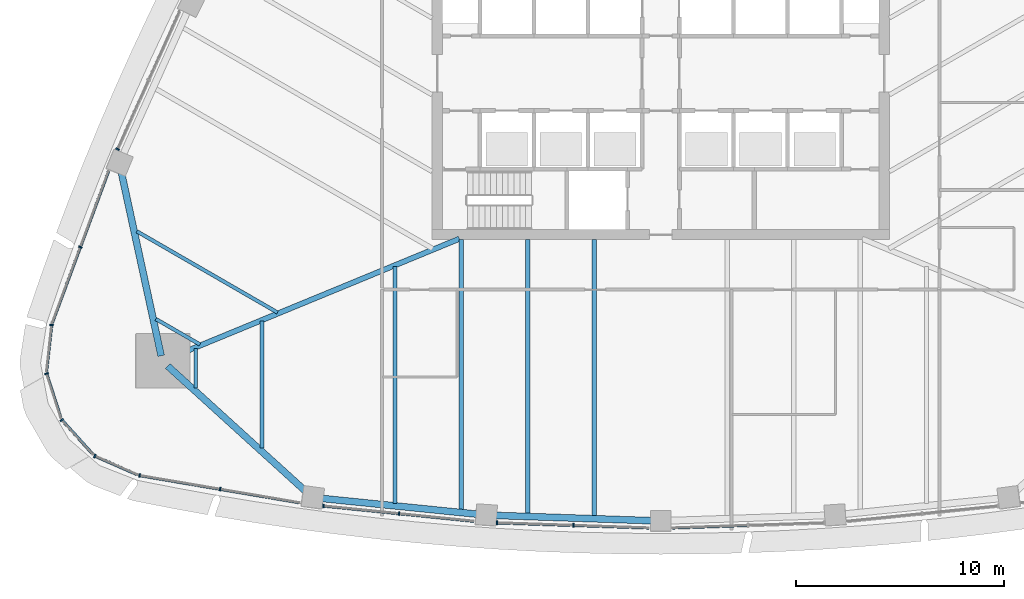
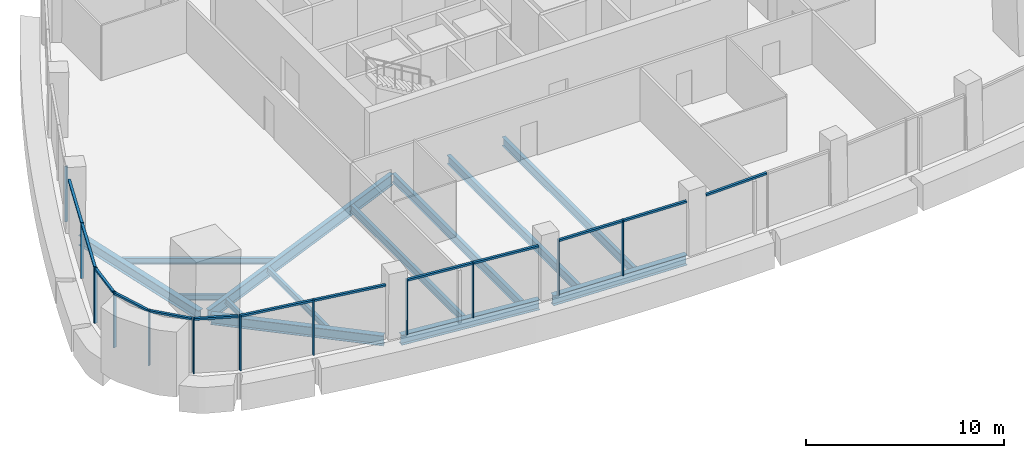
# One storey, part 2 of 16: 25 members, 13 beams, 10 elements without a shape of their own.
"""IFC4 building model written with IfcOpenShell, lengths in metres."""

from ifc_helpers import new_model, si_unit, direction, frame, origin, origin_2d, place, context, subcontext, project, spatial, rectangle, i_section, extrude, material, layer, layer_set, material_profile, profile_set, type_object, element, aggregate, save


model = new_model("IFC4")

# Units and contexts
model_context = context("Model", 3, precision=1e-05, world=origin(), true_north=direction((0.0, 1.0)))
body_context = subcontext(model_context, "Body", "Model", "MODEL_VIEW")
ifc_project = project(units=[si_unit("LENGTHUNIT", "METRE"), si_unit("AREAUNIT", "SQUARE_METRE"), si_unit("VOLUMEUNIT", "CUBIC_METRE"), si_unit("PLANEANGLEUNIT", "RADIAN"), si_unit("MASSUNIT", "GRAM", prefix="KILO")], contexts=[model_context])

# Site, building, storey
site_placement = place(None, origin())
site = spatial("IfcSite", under=ifc_project, at=site_placement, CompositionType="ELEMENT")
building_placement = place(site_placement, origin())
building = spatial("IfcBuilding", under=site, at=building_placement, Name="Sierra Prisma Convention Tower", CompositionType="ELEMENT")
storey_placement = place(building_placement, frame((0.0, 0.0, 165.800048828125)))
storey = spatial("IfcBuildingStorey", under=building, at=storey_placement, Name="L36", CompositionType="ELEMENT", Elevation=165.800048828125)

# Curtain wall, members
ifc_material_1 = material(Name="Aluminium and glass curtain wall", Category="aluminium")
ifc_layer = layer(ifc_material_1, 0.179931640625)
ifc_layer_set = layer_set([ifc_layer], Name="CW-1 Plain shaft curtain wall")
curtain_wall_type = type_object("IfcCurtainWallType", Name="CW-1 Plain shaft curtain wall", PredefinedType="NOTDEFINED", material=ifc_layer_set)
curtain_wall_1_placement = place(storey_placement, origin())
curtain_wall_1 = element("IfcCurtainWall", 1, at=curtain_wall_1_placement, inside=storey, type_object=curtain_wall_type, Name="CW-1 S1 L36", PredefinedType="NOTDEFINED")
ifc_material_2 = material(Name="Aluminium 6063-T6 bronze anodised", Category="aluminium")
ifc_material_profile_1 = material_profile(ifc_material_2, rectangle(XDim=0.179931640625, YDim=0.070068359375, at=origin_2d()), Name="ALU MULLION 70x180")
ifc_profile_set_1 = profile_set([ifc_material_profile_1], Name="Aluminium 6063-T6 bronze anodised")
member_type_1 = type_object("IfcMemberType", Name="CW mullion bronze", PredefinedType="MULLION", material=ifc_profile_set_1)
member_1_placement = place(storey_placement, frame((-25.06298828125, -19.3388671875, 0.0), z_axis=(0.0, 0.0, 1.0), x_axis=(0.167676742214, 0.985842031017, 0.0)))
member_1 = element("IfcMember", 2, at=member_1_placement, type_object=member_type_1, Name="CW-1 mullion S1.1", PredefinedType="MULLION", context=body_context, shape_type="SweptSolid", body=[
    extrude(rectangle(XDim=0.179931640625, YDim=0.070068359375, at=origin_2d()), origin(), (0.0, 0.0, 1.0), 3.39990234375),
])
member_2_placement = place(storey_placement, frame((-21.19287109375, -19.9970703125, 0.0), z_axis=(0.0, 0.0, 1.0), x_axis=(0.167676742214, 0.985842031017, 0.0)))
member_2 = element("IfcMember", 3, at=member_2_placement, type_object=member_type_1, Name="CW-1 mullion S1.2", PredefinedType="MULLION", context=body_context, shape_type="SweptSolid", body=[
    extrude(rectangle(XDim=0.179931640625, YDim=0.070068359375, at=origin_2d()), origin(), (0.0, 0.0, 1.0), 3.39990234375),
])

curtain_wall_2_placement = place(storey_placement, origin())
curtain_wall_2 = element("IfcCurtainWall", 4, at=curtain_wall_2_placement, inside=storey, type_object=curtain_wall_type, Name="CW-1 S2 L36", PredefinedType="NOTDEFINED")
member_3_placement = place(storey_placement, frame((-16.218505859375, -20.803466796875, 0.0), z_axis=(0.0, 0.0, 1.0), x_axis=(0.100911487644, 0.994895407398, 0.0)))
member_3 = element("IfcMember", 5, at=member_3_placement, type_object=member_type_1, Name="CW-1 mullion S2.1", PredefinedType="MULLION", context=body_context, shape_type="SweptSolid", body=[
    extrude(rectangle(XDim=0.179931640625, YDim=0.070068359375, at=origin_2d()), origin(), (0.0, 0.0, 1.0), 3.39990234375),
])
member_4_placement = place(storey_placement, frame((-12.583740234375, -21.172119140625, 0.0), z_axis=(0.0, 0.0, 1.0), x_axis=(0.100911487644, 0.994895407398, 0.0)))
member_4 = element("IfcMember", 6, at=member_4_placement, type_object=member_type_1, Name="CW-1 mullion S2.2", PredefinedType="MULLION", context=body_context, shape_type="SweptSolid", body=[
    extrude(rectangle(XDim=0.179931640625, YDim=0.070068359375, at=origin_2d()), origin(), (0.0, 0.0, 1.0), 3.39990234375),
])

curtain_wall_3_placement = place(storey_placement, origin())
curtain_wall_3 = element("IfcCurtainWall", 7, at=curtain_wall_3_placement, inside=storey, type_object=curtain_wall_type, Name="CW-1 S3 L36", PredefinedType="NOTDEFINED")
member_5_placement = place(storey_placement, frame((-7.869384765625, -21.61328125, 0.0), z_axis=(0.0, 0.0, 1.0), x_axis=(0.033688139017, 0.999432393556, 0.0)))
member_5 = element("IfcMember", 8, at=member_5_placement, type_object=member_type_1, Name="CW-1 mullion S3.1", PredefinedType="MULLION", context=body_context, shape_type="SweptSolid", body=[
    extrude(rectangle(XDim=0.179931640625, YDim=0.070068359375, at=origin_2d()), origin(), (0.0, 0.0, 1.0), 3.39990234375),
])
member_6_placement = place(storey_placement, frame((-4.2021484375, -21.73681640625, 0.0), z_axis=(0.0, 0.0, 1.0), x_axis=(0.033688139017, 0.999432393556, 0.0)))
member_6 = element("IfcMember", 9, at=member_6_placement, type_object=member_type_1, Name="CW-1 mullion S3.2", PredefinedType="MULLION", context=body_context, shape_type="SweptSolid", body=[
    extrude(rectangle(XDim=0.179931640625, YDim=0.070068359375, at=origin_2d()), origin(), (0.0, 0.0, 1.0), 3.39990234375),
])

# Curtain wall, member
curtain_wall_4_placement = place(storey_placement, origin())
curtain_wall_4 = element("IfcCurtainWall", 10, at=curtain_wall_4_placement, inside=storey, type_object=curtain_wall_type, Name="CW-1 NW5 L36", PredefinedType="NOTDEFINED")
member_7_placement = place(storey_placement, frame((-26.125732421875, -3.643798828125, 0.0), z_axis=(0.0, 0.0, 1.0), x_axis=(0.912060440737, -0.410055791866, 0.0)))
member_7 = element("IfcMember", 11, at=member_7_placement, type_object=member_type_1, Name="CW-1 mullion NW5.3", PredefinedType="MULLION", context=body_context, shape_type="SweptSolid", body=[
    extrude(rectangle(XDim=0.179931640625, YDim=0.070068359375, at=origin_2d()), origin(), (0.0, 0.0, 1.0), 3.39990234375),
])
aggregate(curtain_wall_4, [member_7])

curtain_wall_5_placement = place(storey_placement, origin())
curtain_wall_5 = element("IfcCurtainWall", 12, at=curtain_wall_5_placement, inside=storey, type_object=curtain_wall_type, Name="CW-1 NW6 L36", PredefinedType="NOTDEFINED")
member_8_placement = place(storey_placement, frame((-27.914306640625, -8.35498046875, 0.0), z_axis=(0.0, 0.0, 1.0), x_axis=(0.937602614086, -0.347708697128, 0.0)))
member_8 = element("IfcMember", 13, at=member_8_placement, type_object=member_type_1, Name="CW-1 mullion NW6.2", PredefinedType="MULLION", context=body_context, shape_type="SweptSolid", body=[
    extrude(rectangle(XDim=0.179931640625, YDim=0.070068359375, at=origin_2d()), origin(), (0.0, 0.0, 1.0), 3.39990234375),
])

curtain_wall_6_placement = place(storey_placement, origin())
curtain_wall_6 = element("IfcCurtainWall", 14, at=curtain_wall_6_placement, inside=storey, type_object=curtain_wall_type, Name="CW-1 SW1 L36", PredefinedType="NOTDEFINED")
member_9_placement = place(storey_placement, frame((-29.29541015625, -12.103271484375, 0.0), z_axis=(0.0, 0.0, 1.0), x_axis=(0.993936973428, -0.109951320376, 0.0)))
member_9 = element("IfcMember", 15, at=member_9_placement, type_object=member_type_1, Name="CW-1 mullion SW1.1", PredefinedType="MULLION", context=body_context, shape_type="SweptSolid", body=[
    extrude(rectangle(XDim=0.179931640625, YDim=0.070068359375, at=origin_2d()), origin(), (0.0, 0.0, 1.0), 3.39990234375),
])

curtain_wall_7_placement = place(storey_placement, origin())
curtain_wall_7 = element("IfcCurtainWall", 16, at=curtain_wall_7_placement, inside=storey, type_object=curtain_wall_type, Name="CW-1 SW2 L36", PredefinedType="NOTDEFINED")
member_10_placement = place(storey_placement, frame((-29.539306640625, -14.439208984375, 0.0), z_axis=(0.0, 0.0, 1.0), x_axis=(0.951616769793, 0.307287362982, 0.0)))
member_10 = element("IfcMember", 17, at=member_10_placement, type_object=member_type_1, Name="CW-1 mullion SW2.1", PredefinedType="MULLION", context=body_context, shape_type="SweptSolid", body=[
    extrude(rectangle(XDim=0.179931640625, YDim=0.070068359375, at=origin_2d()), origin(), (0.0, 0.0, 1.0), 3.39990234375),
])

curtain_wall_8_placement = place(storey_placement, origin())
curtain_wall_8 = element("IfcCurtainWall", 18, at=curtain_wall_8_placement, inside=storey, type_object=curtain_wall_type, Name="CW-1 SW3 L36", PredefinedType="NOTDEFINED")
member_11_placement = place(storey_placement, frame((-28.803955078125, -16.66943359375, 0.0), z_axis=(0.0, 0.0, 1.0), x_axis=(0.741927047501, 0.670480615817, 0.0)))
member_11 = element("IfcMember", 19, at=member_11_placement, type_object=member_type_1, Name="CW-1 mullion SW3.1", PredefinedType="MULLION", context=body_context, shape_type="SweptSolid", body=[
    extrude(rectangle(XDim=0.179931640625, YDim=0.070068359375, at=origin_2d()), origin(), (0.0, 0.0, 1.0), 3.39990234375),
])

curtain_wall_9_placement = place(storey_placement, origin())
curtain_wall_9 = element("IfcCurtainWall", 20, at=curtain_wall_9_placement, inside=storey, type_object=curtain_wall_type, Name="CW-1 SW4 L36", PredefinedType="NOTDEFINED")
member_12_placement = place(storey_placement, frame((-27.21875, -18.40234375, 0.0), z_axis=(0.0, 0.0, 1.0), x_axis=(0.401747850089, 0.915750328938, 0.0)))
member_12 = element("IfcMember", 21, at=member_12_placement, type_object=member_type_1, Name="CW-1 mullion SW4.1", PredefinedType="MULLION", context=body_context, shape_type="SweptSolid", body=[
    extrude(rectangle(XDim=0.179931640625, YDim=0.070068359375, at=origin_2d()), origin(), (0.0, 0.0, 1.0), 3.39990234375),
])

# Member
ifc_material_3 = material(Name="Aluminium 6063-T6 bronze anodised", Category="aluminium")
ifc_material_profile_2 = material_profile(ifc_material_3, rectangle(XDim=0.139892578125, YDim=0.1201171875, at=origin_2d()), Name="ALU TRANSOM 120x140")
ifc_profile_set_2 = profile_set([ifc_material_profile_2], Name="Aluminium 6063-T6 bronze anodised")
member_type_2 = type_object("IfcMemberType", Name="CW transom bronze", PredefinedType="USERDEFINED", material=ifc_profile_set_2)
member_13_placement = place(storey_placement, frame((-25.028564453125, -19.3447265625, 3.33984375), z_axis=(0.985844336655, -0.167663185836, 0.0), x_axis=(0.167663185836, 0.985844336655, 0.0)))
member_13 = element("IfcMember", 22, at=member_13_placement, type_object=member_type_2, Name="CW-1 transom S1.1", ObjectType="TRANSOM", PredefinedType="USERDEFINED", context=body_context, shape_type="SweptSolid", body=[
    extrude(rectangle(XDim=0.139892578125, YDim=0.1201171875, at=origin_2d()), origin(), (0.0, 0.0, 1.0), 3.85595703125),
])

member_14_placement = place(storey_placement, frame((-21.158203125, -20.0029296875, 3.33984375), z_axis=(0.98584255659, -0.16767365212, 0.0), x_axis=(0.16767365212, 0.98584255659, 0.0)))
member_14 = element("IfcMember", 23, at=member_14_placement, type_object=member_type_2, Name="CW-1 transom S1.2", ObjectType="TRANSOM", PredefinedType="USERDEFINED", context=body_context, shape_type="SweptSolid", body=[
    extrude(rectangle(XDim=0.139892578125, YDim=0.1201171875, at=origin_2d()), origin(), (0.0, 0.0, 1.0), 3.855712890625),
])

aggregate(curtain_wall_1, [member_1, member_2, member_13, member_14])

member_15_placement = place(storey_placement, frame((-16.183837890625, -20.80712890625, 3.33984375), z_axis=(0.994896578537, -0.100899940616, 0.0), x_axis=(0.100899940616, 0.994896578537, 0.0)))
member_15 = element("IfcMember", 24, at=member_15_placement, type_object=member_type_2, Name="CW-1 transom S2.1", ObjectType="TRANSOM", PredefinedType="USERDEFINED", context=body_context, shape_type="SweptSolid", body=[
    extrude(rectangle(XDim=0.139892578125, YDim=0.1201171875, at=origin_2d()), origin(), (0.0, 0.0, 1.0), 3.58349609375),
])

member_16_placement = place(storey_placement, frame((-12.548828125, -21.17578125, 3.33984375), z_axis=(0.994895884852, -0.100906780268, 0.0), x_axis=(0.100906780268, 0.994895884852, 0.0)))
member_16 = element("IfcMember", 25, at=member_16_placement, type_object=member_type_2, Name="CW-1 transom S2.2", ObjectType="TRANSOM", PredefinedType="USERDEFINED", context=body_context, shape_type="SweptSolid", body=[
    extrude(rectangle(XDim=0.139892578125, YDim=0.1201171875, at=origin_2d()), origin(), (0.0, 0.0, 1.0), 3.583251953125),
])

aggregate(curtain_wall_2, [member_3, member_4, member_15, member_16])

member_17_placement = place(storey_placement, frame((-7.83447265625, -21.614501953125, 3.33984375), z_axis=(0.999431654881, -0.033710046317, 0.0), x_axis=(0.033710046317, 0.999431654881, 0.0)))
member_17 = element("IfcMember", 26, at=member_17_placement, type_object=member_type_2, Name="CW-1 transom S3.1", ObjectType="TRANSOM", PredefinedType="USERDEFINED", context=body_context, shape_type="SweptSolid", body=[
    extrude(rectangle(XDim=0.139892578125, YDim=0.1201171875, at=origin_2d()), origin(), (0.0, 0.0, 1.0), 3.599365234375),
])

member_18_placement = place(storey_placement, frame((-4.1669921875, -21.738037109375, 3.33984375), z_axis=(0.999431654881, -0.033710046317, 0.0), x_axis=(0.033710046317, 0.999431654881, 0.0)))
member_18 = element("IfcMember", 27, at=member_18_placement, type_object=member_type_2, Name="CW-1 transom S3.2", ObjectType="TRANSOM", PredefinedType="USERDEFINED", context=body_context, shape_type="SweptSolid", body=[
    extrude(rectangle(XDim=0.139892578125, YDim=0.1201171875, at=origin_2d()), origin(), (0.0, 0.0, 1.0), 3.599365234375),
])

aggregate(curtain_wall_3, [member_5, member_6, member_17, member_18])

# Curtain wall, member
curtain_wall_10_placement = place(storey_placement, origin())
curtain_wall_10 = element("IfcCurtainWall", 28, at=curtain_wall_10_placement, inside=storey, type_object=curtain_wall_type, Name="CW-1 S4 L36", PredefinedType="NOTDEFINED")
member_19_placement = place(storey_placement, frame((0.569580078125, -21.859375, 3.33984375), z_axis=(0.999431654881, 0.033710046317, 0.0), x_axis=(-0.033710046317, 0.999431654881, 0.0)))
member_19 = element("IfcMember", 29, at=member_19_placement, type_object=member_type_2, Name="CW-1 transom S4.1", ObjectType="TRANSOM", PredefinedType="USERDEFINED", context=body_context, shape_type="SweptSolid", body=[
    extrude(rectangle(XDim=0.139892578125, YDim=0.1201171875, at=origin_2d()), origin(), (0.0, 0.0, 1.0), 3.599365234375),
])
aggregate(curtain_wall_10, [member_19])

# Member
member_20_placement = place(storey_placement, frame((-26.5615234375, -4.70703125, 3.33984375), z_axis=(-0.347679343869, -0.937613499181, 0.0), x_axis=(0.937613499181, -0.347679343869, 0.0)))
member_20 = element("IfcMember", 30, at=member_20_placement, type_object=member_type_2, Name="CW-1 transom NW6.1", ObjectType="TRANSOM", PredefinedType="USERDEFINED", context=body_context, shape_type="SweptSolid", body=[
    extrude(rectangle(XDim=0.139892578125, YDim=0.1201171875, at=origin_2d()), origin(), (0.0, 0.0, 1.0), 3.855712890625),
])

member_21_placement = place(storey_placement, frame((-27.926513671875, -8.3876953125, 3.33984375), z_axis=(-0.347735006125, -0.93759285701, 0.0), x_axis=(0.93759285701, -0.347735006125, 0.0)))
member_21 = element("IfcMember", 31, at=member_21_placement, type_object=member_type_2, Name="CW-1 transom NW6.2", ObjectType="TRANSOM", PredefinedType="USERDEFINED", context=body_context, shape_type="SweptSolid", body=[
    extrude(rectangle(XDim=0.139892578125, YDim=0.1201171875, at=origin_2d()), origin(), (0.0, 0.0, 1.0), 3.85595703125),
])

aggregate(curtain_wall_5, [member_8, member_20, member_21])

member_22_placement = place(storey_placement, frame((-29.29931640625, -12.13818359375, 3.33984375), z_axis=(-0.109958945394, -0.993936129904, 0.0), x_axis=(0.993936129904, -0.109958945394, 0.0)))
member_22 = element("IfcMember", 32, at=member_22_placement, type_object=member_type_2, Name="CW-1 transom SW1.1", ObjectType="TRANSOM", PredefinedType="USERDEFINED", context=body_context, shape_type="SweptSolid", body=[
    extrude(rectangle(XDim=0.139892578125, YDim=0.1201171875, at=origin_2d()), origin(), (0.0, 0.0, 1.0), 2.21142578125),
])

aggregate(curtain_wall_6, [member_9, member_22])

member_23_placement = place(storey_placement, frame((-29.528564453125, -14.472412109375, 3.33984375), z_axis=(0.307238238166, -0.951632631328, 0.0), x_axis=(0.951632631328, 0.307238238166, 0.0)))
member_23 = element("IfcMember", 33, at=member_23_placement, type_object=member_type_2, Name="CW-1 transom SW2.1", ObjectType="TRANSOM", PredefinedType="USERDEFINED", context=body_context, shape_type="SweptSolid", body=[
    extrude(rectangle(XDim=0.139892578125, YDim=0.1201171875, at=origin_2d()), origin(), (0.0, 0.0, 1.0), 2.21142578125),
])

aggregate(curtain_wall_7, [member_10, member_23])

member_24_placement = place(storey_placement, frame((-28.780517578125, -16.695556640625, 3.33984375), z_axis=(0.670488251743, -0.741920146832, 0.0), x_axis=(0.741920146832, 0.670488251743, 0.0)))
member_24 = element("IfcMember", 34, at=member_24_placement, type_object=member_type_2, Name="CW-1 transom SW3.1", ObjectType="TRANSOM", PredefinedType="USERDEFINED", context=body_context, shape_type="SweptSolid", body=[
    extrude(rectangle(XDim=0.139892578125, YDim=0.1201171875, at=origin_2d()), origin(), (0.0, 0.0, 1.0), 2.21142578125),
])

aggregate(curtain_wall_8, [member_11, member_24])

member_25_placement = place(storey_placement, frame((-27.186767578125, -18.416259765625, 3.33984375), z_axis=(0.915713390972, -0.401832036545, 0.0), x_axis=(0.401832036545, 0.915713390972, 0.0)))
member_25 = element("IfcMember", 35, at=member_25_placement, type_object=member_type_2, Name="CW-1 transom SW4.1", ObjectType="TRANSOM", PredefinedType="USERDEFINED", context=body_context, shape_type="SweptSolid", body=[
    extrude(rectangle(XDim=0.139892578125, YDim=0.1201171875, at=origin_2d()), origin(), (0.0, 0.0, 1.0), 2.211669921875),
])

aggregate(curtain_wall_9, [member_12, member_25])

# Beams
ifc_material_4 = material(Name="Steel ASTM A992 Gr 50", Category="steel")
ifc_material_profile_3 = material_profile(ifc_material_4, i_section(OverallWidth=0.172119140625, OverallDepth=0.35791015625, WebThickness=0.0078125, FlangeThickness=0.01318359375, at=origin_2d()), Name="W360x57")
ifc_profile_set_3 = profile_set([ifc_material_profile_3], Name="Steel ASTM A992 Gr 50")
beam_type_1 = type_object("IfcBeamType", Name="Floor joist W360x57", PredefinedType="JOIST", material=ifc_profile_set_3)
beam_1_placement = place(storey_placement, frame((-22.37353515625, -15.12158203125, -0.3291015625), z_axis=(0.0, 1.0, 0.0), x_axis=(-1.0, 0.0, 0.0)))
element("IfcBeam", 36, at=beam_1_placement, inside=storey, type_object=beam_type_1, Name="Floor joist L36 S01", PredefinedType="JOIST", context=body_context, shape_type="SweptSolid", body=[
    extrude(i_section(OverallWidth=0.172119140625, OverallDepth=0.35791015625, WebThickness=0.0078125, FlangeThickness=0.01318359375, at=origin_2d()), origin(), (0.0, 0.0, 1.0), 1.88525390625),
])
beam_2_placement = place(storey_placement, frame((-19.17724609375, -18.0234375, -0.3291015625), z_axis=(0.0, 1.0, 0.0), x_axis=(-1.0, 0.0, 0.0)))
element("IfcBeam", 37, at=beam_2_placement, inside=storey, type_object=beam_type_1, Name="Floor joist L36 S02", PredefinedType="JOIST", context=body_context, shape_type="SweptSolid", body=[
    extrude(i_section(OverallWidth=0.172119140625, OverallDepth=0.35791015625, WebThickness=0.0078125, FlangeThickness=0.01318359375, at=origin_2d()), origin(), (0.0, 0.0, 1.0), 6.104248046875),
])
beam_3_placement = place(storey_placement, frame((-25.197265625, -7.596435546875, -0.3291015625), z_axis=(0.866030491634, -0.499991187483, 0.0), x_axis=(0.499991187483, 0.866030491634, 0.0)))
element("IfcBeam", 38, at=beam_3_placement, inside=storey, type_object=beam_type_1, Name="Floor joist L36 NW14", PredefinedType="JOIST", context=body_context, shape_type="SweptSolid", body=[
    extrude(i_section(OverallWidth=0.172119140625, OverallDepth=0.35791015625, WebThickness=0.0078125, FlangeThickness=0.01318359375, at=origin_2d()), origin(), (0.0, 0.0, 1.0), 7.811767578125),
])
beam_4_placement = place(storey_placement, frame((-24.2822265625, -11.815185546875, -0.3291015625), z_axis=(0.866012869334, -0.500021709677, 0.0), x_axis=(0.500021709677, 0.866012869334, 0.0)))
element("IfcBeam", 39, at=beam_4_placement, inside=storey, type_object=beam_type_1, Name="Floor joist L36 NW15", PredefinedType="JOIST", context=body_context, shape_type="SweptSolid", body=[
    extrude(i_section(OverallWidth=0.172119140625, OverallDepth=0.35791015625, WebThickness=0.0078125, FlangeThickness=0.01318359375, at=origin_2d()), origin(), (0.0, 0.0, 1.0), 2.4482421875),
])
ifc_material_5 = material(Name="Steel ASTM A992 Gr 50", Category="steel")
ifc_material_profile_4 = material_profile(ifc_material_5, i_section(OverallWidth=0.18994140625, OverallDepth=0.45703125, WebThickness=0.009033203125, FlangeThickness=0.014404296875, at=origin_2d()), Name="W460x74")
ifc_profile_set_4 = profile_set([ifc_material_profile_4], Name="Steel ASTM A992 Gr 50")
beam_type_2 = type_object("IfcBeamType", Name="Floor joist W460x74", PredefinedType="JOIST", material=ifc_profile_set_4)
beam_5_placement = place(storey_placement, frame((-12.784912109375, -20.686767578125, -0.378662109375), z_axis=(0.0, 1.0, 0.0), x_axis=(-1.0, 0.0, 0.0)))
element("IfcBeam", 40, at=beam_5_placement, inside=storey, type_object=beam_type_2, Name="Floor joist L36 S04", PredefinedType="JOIST", context=body_context, shape_type="SweptSolid", body=[
    extrude(i_section(OverallWidth=0.18994140625, OverallDepth=0.45703125, WebThickness=0.009033203125, FlangeThickness=0.014404296875, at=origin_2d()), origin(), (0.0, 0.0, 1.0), 11.40185546875),
])
ifc_material_6 = material(Name="Steel ASTM A992 Gr 50", Category="steel")
ifc_material_profile_5 = material_profile(ifc_material_6, i_section(OverallWidth=0.208984375, OverallDepth=0.532958984375, WebThickness=0.01025390625, FlangeThickness=0.015625, at=origin_2d()), Name="W530x92")
ifc_profile_set_5 = profile_set([ifc_material_profile_5], Name="Steel ASTM A992 Gr 50")
beam_type_3 = type_object("IfcBeamType", Name="Floor joist W530x92", PredefinedType="JOIST", material=ifc_profile_set_5)
beam_6_placement = place(storey_placement, frame((-9.588623046875, -21.010986328125, -0.41650390625), z_axis=(0.0, 1.0, 0.0), x_axis=(-1.0, 0.0, 0.0)))
element("IfcBeam", 41, at=beam_6_placement, inside=storey, type_object=beam_type_3, Name="Floor joist L36 S05", PredefinedType="JOIST", context=body_context, shape_type="SweptSolid", body=[
    extrude(i_section(OverallWidth=0.208984375, OverallDepth=0.532958984375, WebThickness=0.01025390625, FlangeThickness=0.015625, at=origin_2d()), origin(), (0.0, 0.0, 1.0), 13.010986328125),
])
beam_7_placement = place(storey_placement, frame((-6.392333984375, -21.200439453125, -0.41650390625), z_axis=(0.0, 1.0, 0.0), x_axis=(-1.0, 0.0, 0.0)))
element("IfcBeam", 42, at=beam_7_placement, inside=storey, type_object=beam_type_3, Name="Floor joist L36 S06", PredefinedType="JOIST", context=body_context, shape_type="SweptSolid", body=[
    extrude(i_section(OverallWidth=0.208984375, OverallDepth=0.532958984375, WebThickness=0.01025390625, FlangeThickness=0.015625, at=origin_2d()), origin(), (0.0, 0.0, 1.0), 13.200439453125),
])
beam_8_placement = place(storey_placement, frame((-3.1962890625, -21.308349609375, -0.41650390625), z_axis=(0.0, 1.0, 0.0), x_axis=(-1.0, 0.0, 0.0)))
element("IfcBeam", 43, at=beam_8_placement, inside=storey, type_object=beam_type_3, Name="Floor joist L36 S07", PredefinedType="JOIST", context=body_context, shape_type="SweptSolid", body=[
    extrude(i_section(OverallWidth=0.208984375, OverallDepth=0.532958984375, WebThickness=0.01025390625, FlangeThickness=0.015625, at=origin_2d()), origin(), (0.0, 0.0, 1.0), 13.308349609375),
])
ifc_material_7 = material(Name="Steel ASTM A992 Gr 50", Category="steel")
ifc_material_profile_6 = material_profile(ifc_material_7, i_section(OverallWidth=0.25390625, OverallDepth=0.68408203125, WebThickness=0.012451171875, FlangeThickness=0.018798828125, at=origin_2d()), Name="W690x140")
ifc_profile_set_6 = profile_set([ifc_material_profile_6], Name="Steel ASTM A992 Gr 50")
beam_type_4 = type_object("IfcBeamType", Name="Radial girder W690x140", PredefinedType="BEAM", material=ifc_profile_set_6)
beam_9_placement = place(storey_placement, frame((-23.711669921875, -13.73291015625, -0.491943359375), z_axis=(0.924573384272, 0.381004011915, 0.0), x_axis=(-0.381004011915, 0.924573384272, 0.0)))
element("IfcBeam", 44, at=beam_9_placement, inside=storey, type_object=beam_type_4, Name="Radial girder L36 SW", PredefinedType="BEAM", context=body_context, shape_type="SweptSolid", body=[
    extrude(i_section(OverallWidth=0.25390625, OverallDepth=0.68408203125, WebThickness=0.012451171875, FlangeThickness=0.018798828125, at=origin_2d()), origin(), (0.0, 0.0, 1.0), 15.166748046875),
])
ifc_material_8 = material(Name="Steel ASTM A992 Gr 50", Category="steel")
ifc_material_profile_7 = material_profile(ifc_material_8, i_section(OverallWidth=0.324951171875, OverallDepth=0.615966796875, WebThickness=0.013916015625, FlangeThickness=0.021484375, at=origin_2d()), Name="W610x174")
ifc_profile_set_7 = profile_set([ifc_material_profile_7], Name="Steel ASTM A992 Gr 50")
beam_type_5 = type_object("IfcBeamType", Name="Spandrel beam W610x174", PredefinedType="BEAM", material=ifc_profile_set_7)
beam_10_placement = place(storey_placement, frame((-23.711669921875, -14.076171875, -0.4580078125), z_axis=(0.740379646724, -0.672188945697, 0.0), x_axis=(0.672188945697, 0.740379646724, 0.0)))
element("IfcBeam", 45, at=beam_10_placement, inside=storey, type_object=beam_type_5, Name="Spandrel L36-01", PredefinedType="BEAM", context=body_context, shape_type="SweptSolid", body=[
    extrude(i_section(OverallWidth=0.324951171875, OverallDepth=0.615966796875, WebThickness=0.013916015625, FlangeThickness=0.021484375, at=origin_2d()), origin(), (0.0, 0.0, 1.0), 8.91845703125),
])
beam_11_placement = place(storey_placement, frame((-16.369873046875, -20.4365234375, -0.4580078125), z_axis=(0.994894708761, -0.100918375335, 0.0), x_axis=(0.100918375335, 0.994894708761, 0.0)))
element("IfcBeam", 46, at=beam_11_placement, inside=storey, type_object=beam_type_5, Name="Spandrel L36-02", PredefinedType="BEAM", context=body_context, shape_type="SweptSolid", body=[
    extrude(i_section(OverallWidth=0.324951171875, OverallDepth=0.615966796875, WebThickness=0.013916015625, FlangeThickness=0.021484375, at=origin_2d()), origin(), (0.0, 0.0, 1.0), 7.637451171875),
])
beam_12_placement = place(storey_placement, frame((-8.012939453125, -21.258544921875, -0.4580078125), z_axis=(0.999432204255, -0.033693754583, 0.0), x_axis=(0.033693754583, 0.999432204255, 0.0)))
element("IfcBeam", 47, at=beam_12_placement, inside=storey, type_object=beam_type_5, Name="Spandrel L36-03", PredefinedType="BEAM", context=body_context, shape_type="SweptSolid", body=[
    extrude(i_section(OverallWidth=0.324951171875, OverallDepth=0.615966796875, WebThickness=0.013916015625, FlangeThickness=0.021484375, at=origin_2d()), origin(), (0.0, 0.0, 1.0), 7.63720703125),
])
beam_13_placement = place(storey_placement, frame((-25.936279296875, -4.781005859375, -0.4580078125), z_axis=(0.211937664989, -0.977283186266, 0.0), x_axis=(0.977283186266, 0.211937664989, 0.0)))
element("IfcBeam", 48, at=beam_13_placement, inside=storey, type_object=beam_type_5, Name="Spandrel L36-18", PredefinedType="BEAM", context=body_context, shape_type="SweptSolid", body=[
    extrude(i_section(OverallWidth=0.324951171875, OverallDepth=0.615966796875, WebThickness=0.013916015625, FlangeThickness=0.021484375, at=origin_2d()), origin(), (0.0, 0.0, 1.0), 9.003662109375),
])

save(model, "model.ifc")
